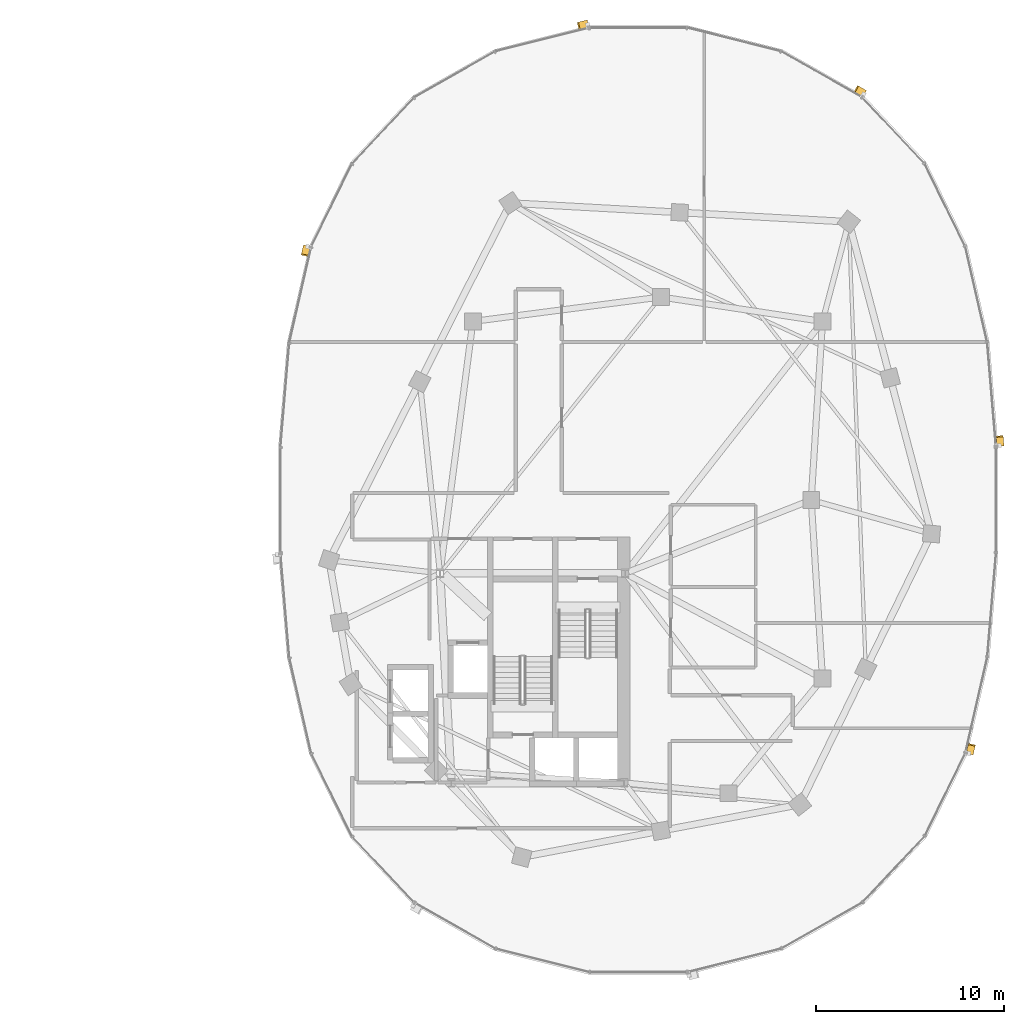
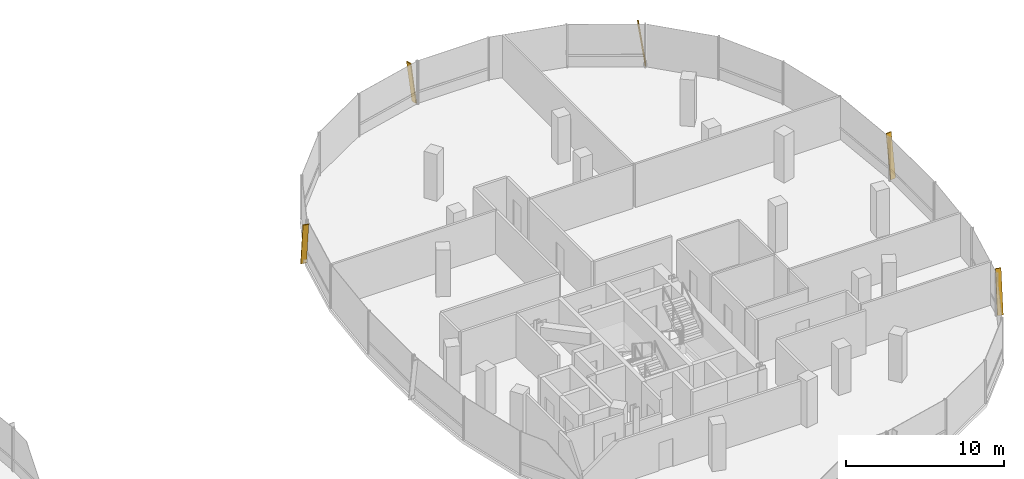
# One storey, part 25 of 25: 5 shading devices.
"""IFC4 building model written with IfcOpenShell, lengths in metres."""

import ifcopenshell
import ifcopenshell.guid

model = None  # the IFC model being written
_history = None  # IfcOwnerHistory: only IFC2X3 demands one
_inside = {}  # id of a spatial element -> (the spatial element, [elements in it])
_under = {}  # id of a project, library or spatial element -> (it, [spatial elements below it])
_declared = {}  # id of a project -> (the project, [libraries it declares])
_typed = {}  # id of a type object -> (the type object, [elements of that type])
_made_of = {}  # id of a material, layer set ... -> (it, [elements and type objects made of it])


def new_model(schema):
    """Start an empty IFC model of exactly this schema.

    Asked for "IFC4X3", IfcOpenShell would pick the latest addendum, in which some entities
    have other attributes; the version numbers below select the first issue.
    IFC2X3 requires an IfcOwnerHistory on every rooted entity: one is made here for all.
    """
    global model, _history
    if schema == "IFC4X3":
        model = ifcopenshell.file(schema_version=(4, 3, 0, 0))
    else:
        model = ifcopenshell.file(schema=schema)
    _inside.clear()
    _under.clear()
    _declared.clear()
    _typed.clear()
    _made_of.clear()
    _history = None
    if model.schema == "IFC2X3":
        org = make("IfcOrganization", Name="unknown")
        user = make(
            "IfcPersonAndOrganization",
            ThePerson=make("IfcPerson", FamilyName="unknown"),
            TheOrganization=org,
        )
        app = make(
            "IfcApplication",
            ApplicationDeveloper=org,
            Version="unknown",
            ApplicationFullName="unknown",
            ApplicationIdentifier="unknown",
        )
        _history = make(
            "IfcOwnerHistory",
            OwningUser=user,
            OwningApplication=app,
            ChangeAction="ADDED",
            CreationDate=0,
        )
    return model


def make(cls, **values):
    """One entity of the class cls with the attributes given. An attribute that is None is left unset."""
    return model.create_entity(
        cls, **{name: value for name, value in values.items() if value is not None}
    )


def rooted(cls, **values):
    """An entity with a GlobalId (a new one), such as an element, a storey or a relation."""
    return make(cls, GlobalId=ifcopenshell.guid.new(), OwnerHistory=_history, **values)


def si_unit(unit_type, name, prefix=None):
    """IfcSIUnit, for example si_unit("LENGTHUNIT", "METRE", prefix="MILLI")."""
    return make("IfcSIUnit", UnitType=unit_type, Prefix=prefix, Name=name)


def assignment(units):
    """IfcUnitAssignment: the units of a project."""
    return None if units is None else make("IfcUnitAssignment", Units=units)


def point(xyz):
    """IfcCartesianPoint."""
    return None if xyz is None else make("IfcCartesianPoint", Coordinates=xyz)


def direction(xyz):
    """IfcDirection."""
    return None if xyz is None else make("IfcDirection", DirectionRatios=xyz)


def frame(location, z_axis=None, x_axis=None):
    """IfcAxis2Placement3D, a coordinate frame: its origin and axes. An axis left out is left unset."""
    return make(
        "IfcAxis2Placement3D",
        Location=point(location),
        Axis=direction(z_axis),
        RefDirection=direction(x_axis),
    )


def frame_2d(location, x_axis=None):
    """IfcAxis2Placement2D, a coordinate frame in the plane: its origin and x axis."""
    return make(
        "IfcAxis2Placement2D", Location=point(location), RefDirection=direction(x_axis)
    )


def origin():
    """The frame at (0, 0, 0) with its axes left unset."""
    return frame((0.0, 0.0, 0.0))


def origin_2d():
    """The frame at (0, 0) in the plane with its x axis left unset."""
    return frame_2d((0.0, 0.0))


def place(relative_to, where):
    """IfcLocalPlacement: puts the frame where relative to a parent placement (None: the world)."""
    return make(
        "IfcLocalPlacement", PlacementRelTo=relative_to, RelativePlacement=where
    )


def context(
    kind, dimensions, precision=None, world=None, true_north=None, identifier=None
):
    """IfcGeometricRepresentationContext, for example the 3D "Model" context."""
    return make(
        "IfcGeometricRepresentationContext",
        ContextIdentifier=identifier,
        ContextType=kind,
        CoordinateSpaceDimension=dimensions,
        Precision=precision,
        WorldCoordinateSystem=world,
        TrueNorth=true_north,
    )


def subcontext(parent, identifier, kind, view, scale=None):
    """IfcGeometricRepresentationSubContext, for example "Body" below "Model"."""
    return make(
        "IfcGeometricRepresentationSubContext",
        ContextIdentifier=identifier,
        ContextType=kind,
        ParentContext=parent,
        TargetScale=scale,
        TargetView=view,
    )


def project(units=None, contexts=None):
    """IfcProject with its units and contexts."""
    return rooted(
        "IfcProject",
        Name="project",
        RepresentationContexts=contexts,
        UnitsInContext=assignment(units),
    )


def spatial(cls, under=None, at=None, **own):
    """A site, building, storey or space (cls), placed at a placement, below another one or the project."""
    s = rooted(cls, ObjectPlacement=at, **own)
    if under is not None:
        _under.setdefault(under.id(), (under, []))[1].append(s)
    return s


def profile(cls, at=None, kind="AREA", **sizes):
    """A parametric profile (cls). Its sizes go by their IFC names, for example OverallWidth=200.0."""
    return make(cls, ProfileType=kind, Position=at, **sizes)


def rectangle(**sizes):
    """IfcRectangleProfileDef."""
    return profile("IfcRectangleProfileDef", **sizes)


def extrude(swept, where, along, depth):
    """IfcExtrudedAreaSolid: the profile swept, set in the frame where, extruded along a direction by depth."""
    return make(
        "IfcExtrudedAreaSolid",
        SweptArea=swept,
        Position=where,
        ExtrudedDirection=direction(along),
        Depth=depth,
    )


def shape(context_of_items, identifier, shape_type, items):
    """IfcShapeRepresentation: the items that make up one representation, for example the "Body"."""
    return make(
        "IfcShapeRepresentation",
        ContextOfItems=context_of_items,
        RepresentationIdentifier=identifier,
        RepresentationType=shape_type,
        Items=items,
    )


def material(Name=None, Category=None):
    """IfcMaterial."""
    return make("IfcMaterial", Name=Name, Category=Category)


def material_profile(
    of_material, cross_section, Name=None, Category=None, Priority=None
):
    """IfcMaterialProfile: a cross section and its material."""
    return make(
        "IfcMaterialProfile",
        Name=Name,
        Material=of_material,
        Profile=cross_section,
        Priority=Priority,
        Category=Category,
    )


def profile_set(profiles, Name=None, composite=None):
    """IfcMaterialProfileSet."""
    return make(
        "IfcMaterialProfileSet",
        Name=Name,
        MaterialProfiles=profiles,
        CompositeProfile=composite,
    )


def made_of(thing, what):
    """Note that an element or type object is made of a material, layer set ...; save() writes the relation."""
    if what is not None:
        _made_of.setdefault(what.id(), (what, []))[1].append(thing)
    return thing


def type_object(cls, material=None, **own):
    """A type object (cls), such as IfcWallType, which elements share."""
    return made_of(rooted(cls, **own), material)


def element(
    cls,
    number,
    at=None,
    inside=None,
    cuts=None,
    type_object=None,
    material=None,
    context=None,
    identifier="Body",
    shape_type=None,
    held_by="IfcProductDefinitionShape",
    body=None,
    shapes=None,
    **own,
):
    """One element of the class cls, such as IfcWall. Its Tag is "e" and its number.

    at: its placement. inside: the storey or other place that contains it. cuts: it is an
    opening in that element (IfcRelVoidsElement). A single representation is given by context,
    identifier, shape_type and body (its items); several are given by shapes. held_by: the class
    of the entity that holds the representations. save() writes the other relations.
    """
    e = rooted(cls, Tag="e%d" % number, ObjectPlacement=at, **own)
    if body is not None:
        shapes = [shape(context, identifier, shape_type, body)]
    if shapes is not None:
        e.Representation = make(held_by, Representations=shapes)
    if inside is not None:
        _inside.setdefault(inside.id(), (inside, []))[1].append(e)
    if cuts is not None:
        rooted(
            "IfcRelVoidsElement", RelatingBuildingElement=cuts, RelatedOpeningElement=e
        )
    if type_object is not None:
        _typed.setdefault(type_object.id(), (type_object, []))[1].append(e)
    return made_of(e, material)


def aggregate(whole, parts):
    """IfcRelAggregates: a whole, such as a stair, and the parts it consists of."""
    return rooted("IfcRelAggregates", RelatingObject=whole, RelatedObjects=parts)


def save(model, path):
    """Write the relations noted so far, then the file.

    IfcRelAggregates (storeys below a building ...), IfcRelContainedInSpatialStructure (elements
    in a storey), IfcRelDefinesByType, IfcRelAssociatesMaterial and IfcRelDeclares: one each for
    every whole, place, type object, material and project.
    """
    for whole, parts in _under.values():
        aggregate(whole, parts)
    for where, things in _inside.values():
        rooted(
            "IfcRelContainedInSpatialStructure",
            RelatedElements=things,
            RelatingStructure=where,
        )
    for kind, things in _typed.values():
        rooted("IfcRelDefinesByType", RelatedObjects=things, RelatingType=kind)
    for what, things in _made_of.values():
        rooted("IfcRelAssociatesMaterial", RelatedObjects=things, RelatingMaterial=what)
    for by, libraries in _declared.values():
        rooted("IfcRelDeclares", RelatingContext=by, RelatedDefinitions=libraries)
    model.write(path)


model = new_model("IFC4")

# Units and contexts
model_context = context("Model", 3, precision=1e-05, world=origin(), true_north=direction((0.0, 1.0)))
body_context = subcontext(model_context, "Body", "Model", "MODEL_VIEW")
ifc_project = project(units=[si_unit("LENGTHUNIT", "METRE"), si_unit("AREAUNIT", "SQUARE_METRE"), si_unit("VOLUMEUNIT", "CUBIC_METRE"), si_unit("PLANEANGLEUNIT", "RADIAN"), si_unit("MASSUNIT", "GRAM", prefix="KILO"), si_unit("THERMODYNAMICTEMPERATUREUNIT", "KELVIN"), si_unit("POWERUNIT", "WATT")], contexts=[model_context])

# Site, building, storey
site_placement = place(None, origin())
site = spatial("IfcSite", under=ifc_project, at=site_placement, CompositionType="ELEMENT")
building_placement = place(site_placement, origin())
building = spatial("IfcBuilding", under=site, at=building_placement, Name="Cundina Bronze Exchange", CompositionType="ELEMENT")
storey_placement = place(building_placement, frame((0.0, 0.0, 206.199951171875)))
storey = spatial("IfcBuildingStorey", under=building, at=storey_placement, Name="L54", CompositionType="ELEMENT", Elevation=206.199951171875)

# Shading devices
ifc_material = material(Name="Anodised Bronze Aluminium 6063-T6", Category="aluminium")
ifc_material_profile = material_profile(ifc_material, rectangle(XDim=0.070068359375, YDim=0.3798828125, at=origin_2d()), Name="FIN70X380", Category="aluminium")
ifc_profile_set = profile_set([ifc_material_profile], Name="Anodised Bronze Aluminium 6063-T6")
shading_device_type = type_object("IfcShadingDeviceType", Name="SHD-FIN-BRZ380", PredefinedType="USERDEFINED", material=ifc_profile_set)
for number, where, z_axis, x_axis, name in (
    (1, (51.264404296875, 2.90283203125, 0.02001953125), (-0.012006555776, 0.143419772964, 0.98958911238), (0.082555834947, -0.986139516224, 0.143921466983), "L54 Diagonal Bronze Solar Fin 1"),
    (2, (44.015625, 21.635498046875, 0.02001953125), (-0.125189514072, 0.071087145125, 0.989582843103), (0.860526986551, -0.488638423358, 0.143964567292), "L54 Diagonal Bronze Solar Fin 5"),
    (3, (29.294189453125, 25.344482421875, 0.02001953125), (-0.139611891367, -0.03514090606, 0.989582556693), (0.959650042543, 0.24154799183, 0.143966536007), "L54 Diagonal Bronze Solar Fin 1"),
    (4, (14.363037109375, 13.4931640625, 0.02001953125), (-0.032139238682, -0.140343782583, 0.989581068951), (0.220899412839, 0.964610875656, 0.14397676192), "L54 Diagonal Bronze Solar Fin 5"),
    (5, (49.636962890625, -13.4931640625, 0.02001953125), (0.032139238682, 0.140343782583, 0.989581068951), (-0.220899412839, -0.964610875656, 0.14397676192), "L54 Diagonal Bronze Solar Fin 5"),
):
    element("IfcShadingDevice", number, at=place(storey_placement, frame(where, z_axis=z_axis, x_axis=x_axis)), inside=storey, type_object=shading_device_type, Name=name, ObjectType="FIN", PredefinedType="USERDEFINED", context=body_context, shape_type="SweptSolid", body=[
        extrude(rectangle(XDim=0.070068359375, YDim=0.3798828125, at=origin_2d()), origin(), (0.0, 0.0, 1.0), 3.334716796875),
    ])

save(model, "model.ifc")
